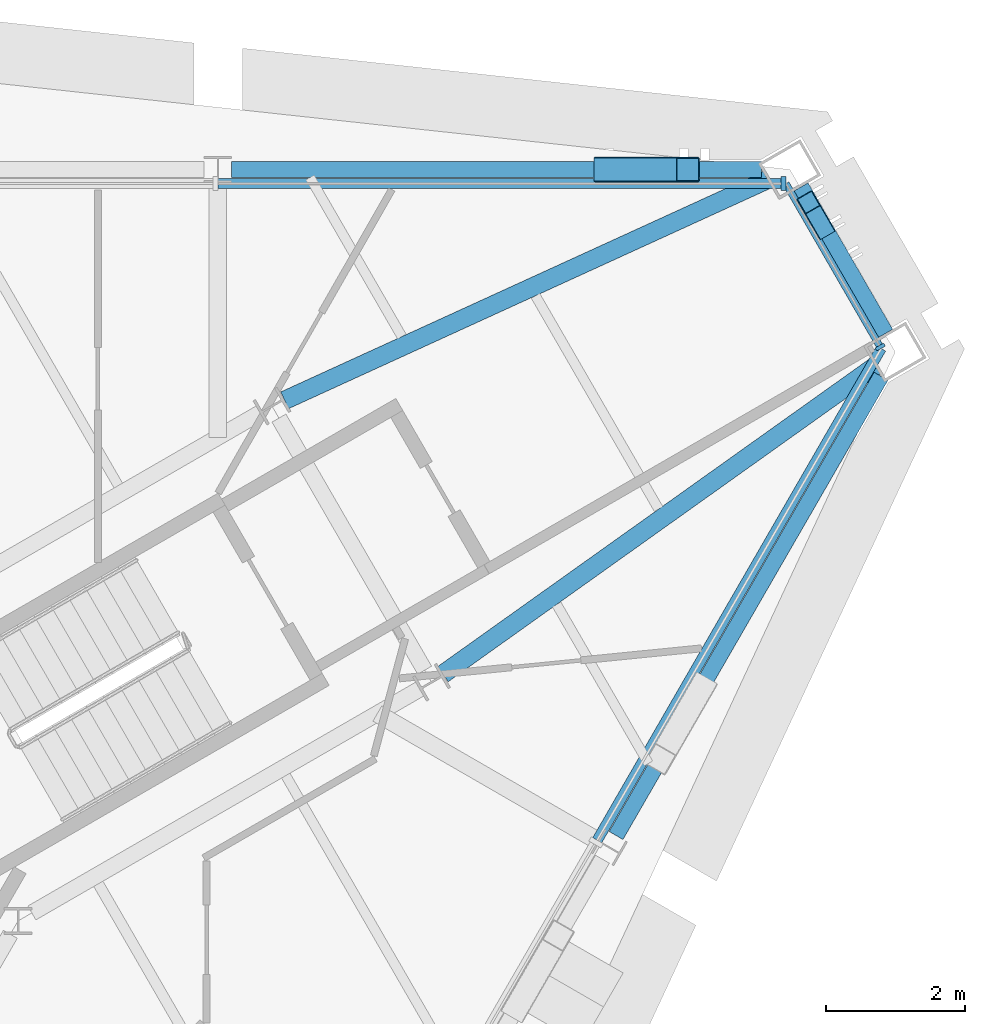
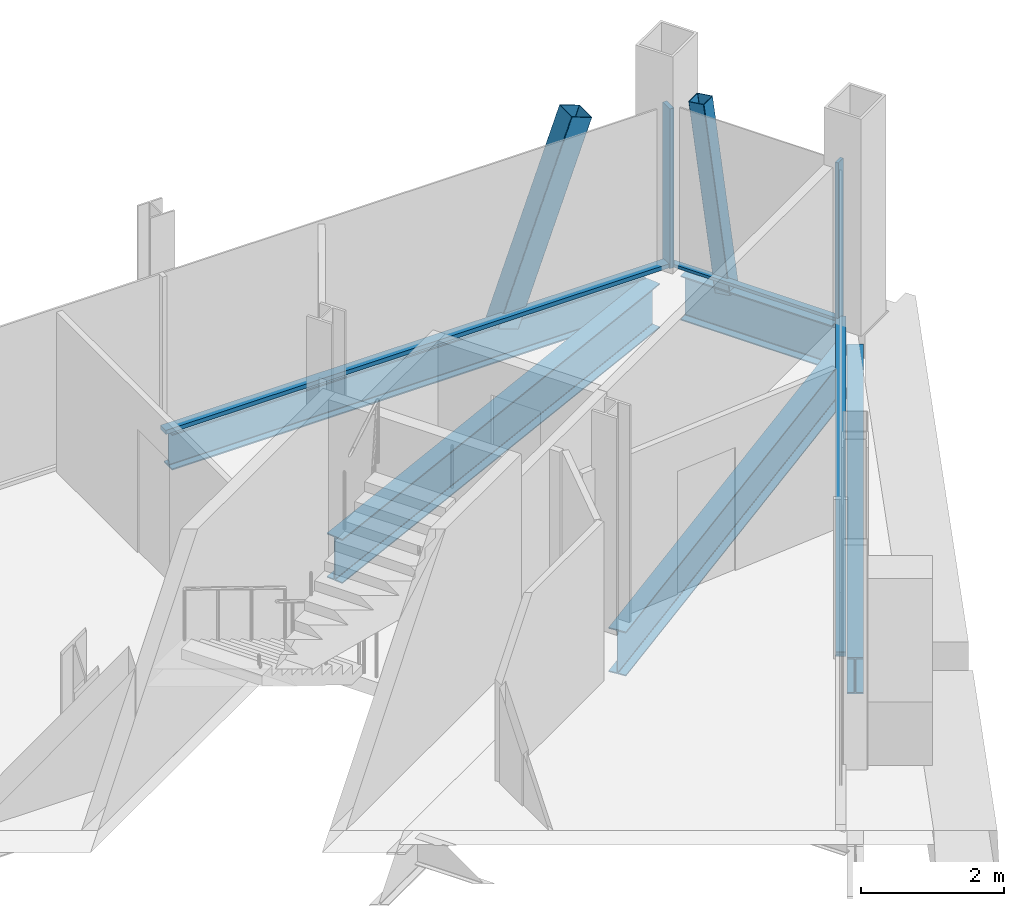
# One storey, part 6 of 13: 7 members, 5 beams, 3 elements without a shape of their own.
"""IFC4 building model written with IfcOpenShell, lengths in metres."""

from ifc_helpers import new_model, si_unit, direction, frame, origin, origin_2d, place, context, subcontext, project, spatial, rectangle, hollow_rectangle, i_section, extrude, material, material_profile, profile_set, type_object, element, aggregate, save


model = new_model("IFC4")

# Units and contexts
model_context = context("Model", 3, precision=1e-05, world=origin(), true_north=direction((0.0, 1.0)))
body_context = subcontext(model_context, "Body", "Model", "MODEL_VIEW")
ifc_project = project(units=[si_unit("LENGTHUNIT", "METRE"), si_unit("AREAUNIT", "SQUARE_METRE"), si_unit("VOLUMEUNIT", "CUBIC_METRE"), si_unit("PLANEANGLEUNIT", "RADIAN"), si_unit("MASSUNIT", "GRAM", prefix="KILO")], contexts=[model_context])

# Site, building, storey
site_placement = place(None, origin())
site = spatial("IfcSite", under=ifc_project, at=site_placement, CompositionType="ELEMENT")
building_placement = place(site_placement, origin())
building = spatial("IfcBuilding", under=site, at=building_placement, Name="Verrane Prism Tower", CompositionType="ELEMENT")
storey_placement = place(building_placement, frame((0.0, 0.0, 278.800048828125)))
storey = spatial("IfcBuildingStorey", under=building, at=storey_placement, Name="L70", CompositionType="ELEMENT", Elevation=278.800048828125)

# Member
ifc_material_1 = material(Name="Steel A500 Grade C", Category="steel")
ifc_material_profile_1 = material_profile(ifc_material_1, hollow_rectangle(XDim=0.25390625, YDim=0.25390625, WallThickness=0.009521484375, InnerFilletRadius=0.0048828125, OuterFilletRadius=0.014404296875, at=origin_2d()), Name="HSS10x10x3/8")
ifc_profile_set_1 = profile_set([ifc_material_profile_1], Name="Steel A500 Grade C")
member_type_1 = type_object("IfcMemberType", Name="Chamfer brace HSS10x10x3/8", PredefinedType="BRACE", material=ifc_profile_set_1)
member_1_placement = place(storey_placement, frame((21.08642578125, 12.808349609375, -0.24267578125), z_axis=(-0.067861913608, 0.117357529496, 0.990768374017), x_axis=(-0.865688187955, -0.500583620621, 0.0)))
element("IfcMember", 1, at=member_1_placement, inside=storey, type_object=member_type_1, Name="Chamfer brace NE0 L70", PredefinedType="BRACE", context=body_context, shape_type="SweptSolid", body=[
    extrude(hollow_rectangle(XDim=0.25390625, YDim=0.25390625, WallThickness=0.009521484375, InnerFilletRadius=0.0048828125, OuterFilletRadius=0.014404296875, at=origin_2d()), origin(), (0.0, 0.0, 1.0), 3.13720703125),
])

# Beams
ifc_material_2 = material(Name="Steel A992", Category="steel")
ifc_material_profile_2 = material_profile(ifc_material_2, i_section(OverallWidth=0.2666015625, OverallDepth=0.7568359375, WebThickness=0.013916015625, FlangeThickness=0.019287109375, FilletRadius=0.0166015625, at=origin_2d()), Name="W30x108")
ifc_profile_set_2 = profile_set([ifc_material_profile_2], Name="Steel A992")
beam_type_1 = type_object("IfcBeamType", Name="Chamfer spandrel beam W30x108", PredefinedType="SPANDREL", material=ifc_profile_set_2)
beam_1_placement = place(storey_placement, frame((21.969970703125, 11.27978515625, -0.53857421875), z_axis=(-0.500436097356, 0.865773476415, 0.0), x_axis=(-0.865773476415, -0.500436097356, 0.0)))
element("IfcBeam", 2, at=beam_1_placement, inside=storey, type_object=beam_type_1, Name="Chamfer spandrel beam L70", PredefinedType="SPANDREL", context=body_context, shape_type="SweptSolid", body=[
    extrude(i_section(OverallWidth=0.2666015625, OverallDepth=0.7568359375, WebThickness=0.013916015625, FlangeThickness=0.019287109375, FilletRadius=0.0166015625, at=origin_2d()), origin(), (0.0, 0.0, 1.0), 2.437744140625),
])
ifc_material_3 = material(Name="Steel A992", Category="steel")
ifc_material_profile_3 = material_profile(ifc_material_3, i_section(OverallWidth=0.2666015625, OverallDepth=0.7568359375, WebThickness=0.013916015625, FlangeThickness=0.019287109375, FilletRadius=0.0166015625, at=origin_2d()), Name="W30x108")
ifc_profile_set_3 = profile_set([ifc_material_profile_3], Name="Steel A992")
beam_type_2 = type_object("IfcBeamType", Name="Corner girder W30x108", PredefinedType="BEAM", material=ifc_profile_set_3)
for number, where, z_axis, x_axis, name in (
    (3, (21.833740234375, 10.81591796875, -0.5986328125), (-0.814401339816, -0.580302040067, 0.0), (0.580302040067, -0.814401339816, 0.0), "Corner girder L70"),
    (4, (20.2802734375, 13.50390625, -0.5986328125), (-0.909481370613, -0.415744677065, 0.0), (0.415744677065, -0.909481370613, 0.0), "Corner girder L70"),
):
    element("IfcBeam", number, at=place(storey_placement, frame(where, z_axis=z_axis, x_axis=x_axis)), inside=storey, type_object=beam_type_2, Name=name, PredefinedType="BEAM", context=body_context, shape_type="SweptSolid", body=[
        extrude(i_section(OverallWidth=0.2666015625, OverallDepth=0.7568359375, WebThickness=0.013916015625, FlangeThickness=0.019287109375, FilletRadius=0.0166015625, at=origin_2d()), origin(), (0.0, 0.0, 1.0), 7.650634765625),
    ])

# Member
ifc_material_4 = material(Name="Steel A500 Grade C", Category="steel")
ifc_material_profile_4 = material_profile(ifc_material_4, hollow_rectangle(XDim=0.355712890625, YDim=0.355712890625, WallThickness=0.0126953125, InnerFilletRadius=0.00634765625, OuterFilletRadius=0.01904296875, at=origin_2d()), Name="HSS14x14x1/2")
ifc_profile_set_4 = profile_set([ifc_material_profile_4], Name="Steel A500 Grade C")
member_type_2 = type_object("IfcMemberType", Name="Facade brace HSS14x14x1/2", PredefinedType="BRACE", material=ifc_profile_set_4)
member_2_placement = place(storey_placement, frame((17.94677734375, 13.64990234375, -0.216796875), z_axis=(0.348013925266, 0.0, 0.937489364111), x_axis=(0.0, 1.0, 0.0)))
element("IfcMember", 5, at=member_2_placement, inside=storey, type_object=member_type_2, Name="Facade brace N0 L70", PredefinedType="BRACE", context=body_context, shape_type="SweptSolid", body=[
    extrude(hollow_rectangle(XDim=0.355712890625, YDim=0.355712890625, WallThickness=0.0126953125, InnerFilletRadius=0.00634765625, OuterFilletRadius=0.01904296875, at=origin_2d()), origin(), (0.0, 0.0, 1.0), 3.409423828125),
])

# Curtain wall, member
ifc_material_5 = material(Name="Aluminium framed insulated glazing", Category="aluminium")
curtain_wall_type_1 = type_object("IfcCurtainWallType", Name="Curtain wall CW-C 4200 module", PredefinedType="NOTDEFINED", material=ifc_material_5)
curtain_wall_1_placement = place(storey_placement, origin())
curtain_wall_1 = element("IfcCurtainWall", 6, at=curtain_wall_1_placement, inside=storey, type_object=curtain_wall_type_1, Name="Glazed curtain wall north-east corner L70", PredefinedType="NOTDEFINED")
ifc_material_6 = material(Name="Aluminium alloy 6063-T6", Category="aluminium")
ifc_material_profile_5 = material_profile(ifc_material_6, rectangle(XDim=0.139892578125, YDim=0.050048828125, at=origin_2d()), Name="Mullion 50x140 aluminium")
ifc_profile_set_5 = profile_set([ifc_material_profile_5], Name="Aluminium alloy 6063-T6")
member_type_3 = type_object("IfcMemberType", Name="Mullion 50x140 aluminium", PredefinedType="MULLION", material=ifc_profile_set_5)
member_3_placement = place(storey_placement, frame((21.90625, 11.091552734375, 0.0), z_axis=(0.0, 0.0, 1.0), x_axis=(-0.866024225493, -0.500002040855, 0.0)))
member_3 = element("IfcMember", 7, at=member_3_placement, type_object=member_type_3, Name="CW69.1 mullion 1", PredefinedType="MULLION", context=body_context, shape_type="SweptSolid", body=[
    extrude(rectangle(XDim=0.139892578125, YDim=0.050048828125, at=origin_2d()), origin(), (0.0, 0.0, 1.0), 2.72314453125),
])

ifc_material_7 = material(Name="Aluminium framed insulated glazing", Category="aluminium")
curtain_wall_type_2 = type_object("IfcCurtainWallType", Name="Curtain wall CW-A 8400 module", PredefinedType="NOTDEFINED", material=ifc_material_7)
curtain_wall_2_placement = place(storey_placement, origin())
curtain_wall_2 = element("IfcCurtainWall", 8, at=curtain_wall_2_placement, inside=storey, type_object=curtain_wall_type_2, Name="Glazed curtain wall north face L70", PredefinedType="NOTDEFINED")
ifc_material_8 = material(Name="Aluminium alloy 6063-T6", Category="aluminium")
ifc_material_profile_6 = material_profile(ifc_material_8, rectangle(XDim=0.199951171875, YDim=0.070068359375, at=origin_2d()), Name="Mullion 70x200 aluminium")
ifc_profile_set_6 = profile_set([ifc_material_profile_6], Name="Aluminium alloy 6063-T6")
member_type_4 = type_object("IfcMemberType", Name="Mullion 70x200 aluminium", PredefinedType="MULLION", material=ifc_profile_set_6)
member_4_placement = place(storey_placement, frame((20.510986328125, 13.447265625, 0.0), z_axis=(0.0, 0.0, 1.0), x_axis=(0.0, -1.0, 0.0)))
member_4 = element("IfcMember", 9, at=member_4_placement, type_object=member_type_4, Name="CW69.2 mullion 1", PredefinedType="MULLION", context=body_context, shape_type="SweptSolid", body=[
    extrude(rectangle(XDim=0.199951171875, YDim=0.070068359375, at=origin_2d()), origin(), (0.0, 0.0, 1.0), 2.72314453125),
])

# Beams
ifc_material_9 = material(Name="Steel A992", Category="steel")
ifc_material_profile_7 = material_profile(ifc_material_9, i_section(OverallWidth=0.23046875, OverallDepth=0.6171875, WebThickness=0.01318359375, FlangeThickness=0.022216796875, FilletRadius=0.012939453125, at=origin_2d()), Name="W24x94")
ifc_profile_set_7 = profile_set([ifc_material_profile_7], Name="Steel A992")
beam_type_3 = type_object("IfcBeamType", Name="Spandrel beam W24x94", PredefinedType="SPANDREL", material=ifc_profile_set_7)
beam_2_placement = place(storey_placement, frame((20.19580078125, 13.64990234375, -0.46875), z_axis=(-1.0, 0.0, 0.0), x_axis=(0.0, -1.0, 0.0)))
element("IfcBeam", 10, at=beam_2_placement, inside=storey, type_object=beam_type_3, Name="Spandrel beam L70", PredefinedType="SPANDREL", context=body_context, shape_type="SweptSolid", body=[
    extrude(i_section(OverallWidth=0.23046875, OverallDepth=0.6171875, WebThickness=0.01318359375, FlangeThickness=0.022216796875, FilletRadius=0.012939453125, at=origin_2d()), origin(), (0.0, 0.0, 1.0), 7.638916015625),
])
beam_3_placement = place(storey_placement, frame((18.098388671875, 4.050537109375, -0.46875), z_axis=(0.499791590914, 0.866145695395, 0.0), x_axis=(-0.866145695395, 0.499791590914, 0.0)))
element("IfcBeam", 11, at=beam_3_placement, inside=storey, type_object=beam_type_3, Name="Spandrel beam L70", PredefinedType="SPANDREL", context=body_context, shape_type="SweptSolid", body=[
    extrude(i_section(OverallWidth=0.23046875, OverallDepth=0.6171875, WebThickness=0.01318359375, FlangeThickness=0.022216796875, FilletRadius=0.012939453125, at=origin_2d()), origin(), (0.0, 0.0, 1.0), 7.642333984375),
])

# Member
ifc_material_10 = material(Name="Aluminium alloy 6063-T6", Category="aluminium")
ifc_material_profile_8 = material_profile(ifc_material_10, rectangle(XDim=0.10009765625, YDim=0.050048828125, at=origin_2d()), Name="Transom 50x100 aluminium")
ifc_profile_set_8 = profile_set([ifc_material_profile_8], Name="Aluminium alloy 6063-T6")
member_type_5 = type_object("IfcMemberType", Name="Transom 50x100 aluminium", PredefinedType="USERDEFINED", material=ifc_profile_set_8)
member_5_placement = place(storey_placement, frame((21.893798828125, 11.113037109375, 0.02490234375), z_axis=(-0.499996880198, 0.866027204995, 0.0), x_axis=(-0.866027204995, -0.499996880198, 0.0)))
member_5 = element("IfcMember", 12, at=member_5_placement, type_object=member_type_5, Name="CW69.1 transom 1", ObjectType="TRANSOM", PredefinedType="USERDEFINED", context=body_context, shape_type="SweptSolid", body=[
    extrude(rectangle(XDim=0.10009765625, YDim=0.050048828125, at=origin_2d()), origin(), (0.0, 0.0, 1.0), 2.6953125),
])

aggregate(curtain_wall_1, [member_3, member_5])

ifc_material_11 = material(Name="Aluminium alloy 6063-T6", Category="aluminium")
ifc_material_profile_9 = material_profile(ifc_material_11, rectangle(XDim=0.14990234375, YDim=0.070068359375, at=origin_2d()), Name="Transom 70x150 aluminium")
ifc_profile_set_9 = profile_set([ifc_material_profile_9], Name="Aluminium alloy 6063-T6")
member_type_6 = type_object("IfcMemberType", Name="Transom 70x150 aluminium", PredefinedType="USERDEFINED", material=ifc_profile_set_9)
member_6_placement = place(storey_placement, frame((20.47607421875, 13.447265625, 0.034912109375), z_axis=(-1.0, 0.0, 0.0), x_axis=(0.0, -1.0, 0.0)))
member_6 = element("IfcMember", 13, at=member_6_placement, type_object=member_type_6, Name="CW69.2 transom 1", ObjectType="TRANSOM", PredefinedType="USERDEFINED", context=body_context, shape_type="SweptSolid", body=[
    extrude(rectangle(XDim=0.14990234375, YDim=0.070068359375, at=origin_2d()), origin(), (0.0, 0.0, 1.0), 8.113525390625),
])

aggregate(curtain_wall_2, [member_4, member_6])

# Curtain wall, member
curtain_wall_3_placement = place(storey_placement, origin())
curtain_wall_3 = element("IfcCurtainWall", 14, at=curtain_wall_3_placement, inside=storey, type_object=curtain_wall_type_2, Name="Glazed curtain wall south-east face L70", PredefinedType="NOTDEFINED")
member_7_placement = place(storey_placement, frame((17.826904296875, 3.982666015625, 0.034912109375), z_axis=(0.500002215902, 0.866024124429, 0.0), x_axis=(-0.866024124429, 0.500002215902, 0.0)))
member_7 = element("IfcMember", 15, at=member_7_placement, type_object=member_type_6, Name="CW69.6 transom 5", ObjectType="TRANSOM", PredefinedType="USERDEFINED", context=body_context, shape_type="SweptSolid", body=[
    extrude(rectangle(XDim=0.14990234375, YDim=0.070068359375, at=origin_2d()), origin(), (0.0, 0.0, 1.0), 8.18359375),
])
aggregate(curtain_wall_3, [member_7])

save(model, "model.ifc")
